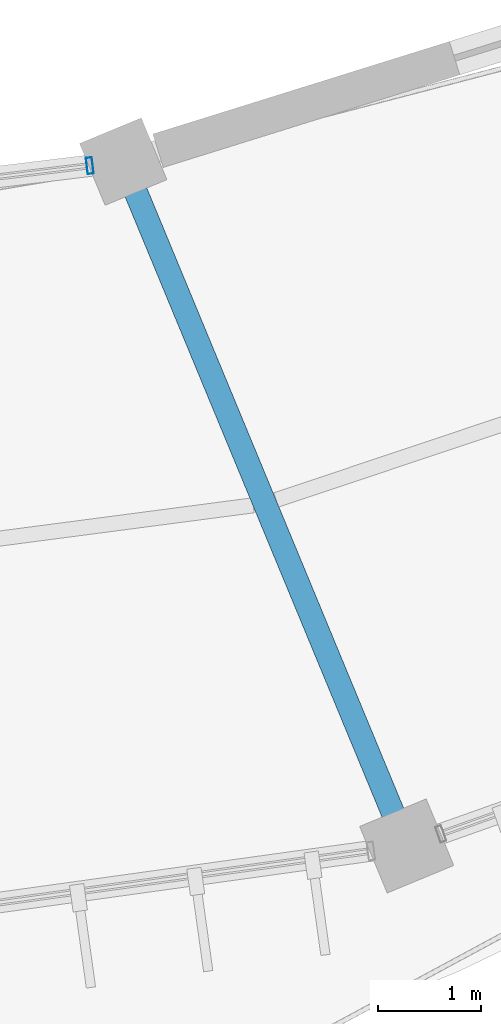
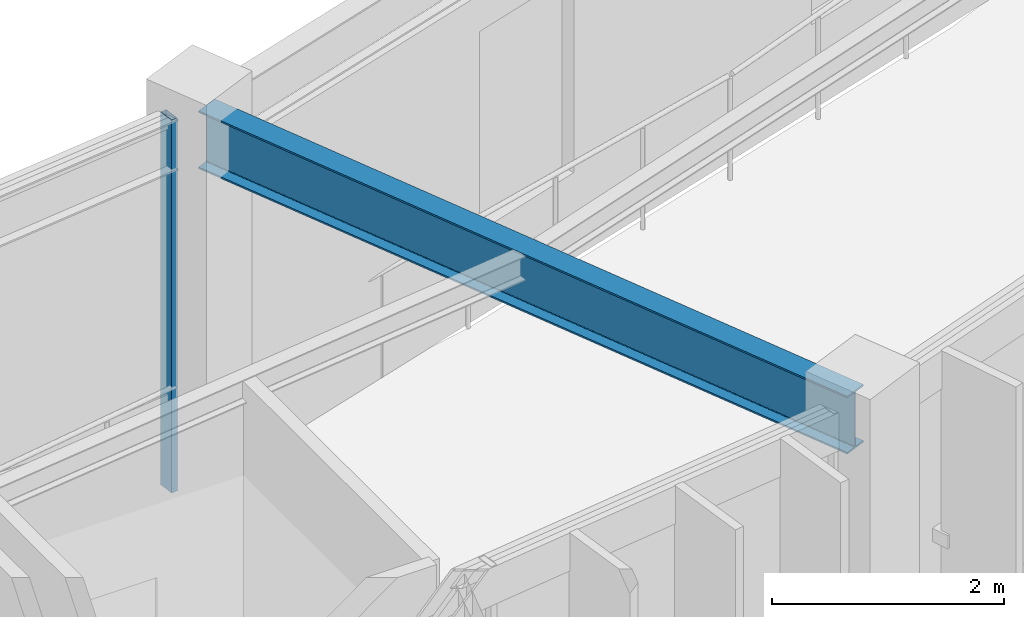
# One storey, part 54 of 138: 1 beam, 1 member, 1 element without a shape of its own.
"""IFC4 building model written with IfcOpenShell, lengths in metres."""

import ifcopenshell
import ifcopenshell.guid

model = None  # the IFC model being written
_history = None  # IfcOwnerHistory: only IFC2X3 demands one
_inside = {}  # id of a spatial element -> (the spatial element, [elements in it])
_under = {}  # id of a project, library or spatial element -> (it, [spatial elements below it])
_declared = {}  # id of a project -> (the project, [libraries it declares])
_typed = {}  # id of a type object -> (the type object, [elements of that type])
_made_of = {}  # id of a material, layer set ... -> (it, [elements and type objects made of it])


def new_model(schema):
    """Start an empty IFC model of exactly this schema.

    Asked for "IFC4X3", IfcOpenShell would pick the latest addendum, in which some entities
    have other attributes; the version numbers below select the first issue.
    IFC2X3 requires an IfcOwnerHistory on every rooted entity: one is made here for all.
    """
    global model, _history
    if schema == "IFC4X3":
        model = ifcopenshell.file(schema_version=(4, 3, 0, 0))
    else:
        model = ifcopenshell.file(schema=schema)
    _inside.clear()
    _under.clear()
    _declared.clear()
    _typed.clear()
    _made_of.clear()
    _history = None
    if model.schema == "IFC2X3":
        org = make("IfcOrganization", Name="unknown")
        user = make(
            "IfcPersonAndOrganization",
            ThePerson=make("IfcPerson", FamilyName="unknown"),
            TheOrganization=org,
        )
        app = make(
            "IfcApplication",
            ApplicationDeveloper=org,
            Version="unknown",
            ApplicationFullName="unknown",
            ApplicationIdentifier="unknown",
        )
        _history = make(
            "IfcOwnerHistory",
            OwningUser=user,
            OwningApplication=app,
            ChangeAction="ADDED",
            CreationDate=0,
        )
    return model


def make(cls, **values):
    """One entity of the class cls with the attributes given. An attribute that is None is left unset."""
    return model.create_entity(
        cls, **{name: value for name, value in values.items() if value is not None}
    )


def rooted(cls, **values):
    """An entity with a GlobalId (a new one), such as an element, a storey or a relation."""
    return make(cls, GlobalId=ifcopenshell.guid.new(), OwnerHistory=_history, **values)


def si_unit(unit_type, name, prefix=None):
    """IfcSIUnit, for example si_unit("LENGTHUNIT", "METRE", prefix="MILLI")."""
    return make("IfcSIUnit", UnitType=unit_type, Prefix=prefix, Name=name)


def assignment(units):
    """IfcUnitAssignment: the units of a project."""
    return None if units is None else make("IfcUnitAssignment", Units=units)


def point(xyz):
    """IfcCartesianPoint."""
    return None if xyz is None else make("IfcCartesianPoint", Coordinates=xyz)


def direction(xyz):
    """IfcDirection."""
    return None if xyz is None else make("IfcDirection", DirectionRatios=xyz)


def frame(location, z_axis=None, x_axis=None):
    """IfcAxis2Placement3D, a coordinate frame: its origin and axes. An axis left out is left unset."""
    return make(
        "IfcAxis2Placement3D",
        Location=point(location),
        Axis=direction(z_axis),
        RefDirection=direction(x_axis),
    )


def frame_2d(location, x_axis=None):
    """IfcAxis2Placement2D, a coordinate frame in the plane: its origin and x axis."""
    return make(
        "IfcAxis2Placement2D", Location=point(location), RefDirection=direction(x_axis)
    )


def origin():
    """The frame at (0, 0, 0) with its axes left unset."""
    return frame((0.0, 0.0, 0.0))


def origin_2d():
    """The frame at (0, 0) in the plane with its x axis left unset."""
    return frame_2d((0.0, 0.0))


def place(relative_to, where):
    """IfcLocalPlacement: puts the frame where relative to a parent placement (None: the world)."""
    return make(
        "IfcLocalPlacement", PlacementRelTo=relative_to, RelativePlacement=where
    )


def context(
    kind, dimensions, precision=None, world=None, true_north=None, identifier=None
):
    """IfcGeometricRepresentationContext, for example the 3D "Model" context."""
    return make(
        "IfcGeometricRepresentationContext",
        ContextIdentifier=identifier,
        ContextType=kind,
        CoordinateSpaceDimension=dimensions,
        Precision=precision,
        WorldCoordinateSystem=world,
        TrueNorth=true_north,
    )


def subcontext(parent, identifier, kind, view, scale=None):
    """IfcGeometricRepresentationSubContext, for example "Body" below "Model"."""
    return make(
        "IfcGeometricRepresentationSubContext",
        ContextIdentifier=identifier,
        ContextType=kind,
        ParentContext=parent,
        TargetScale=scale,
        TargetView=view,
    )


def project(units=None, contexts=None):
    """IfcProject with its units and contexts."""
    return rooted(
        "IfcProject",
        Name="project",
        RepresentationContexts=contexts,
        UnitsInContext=assignment(units),
    )


def spatial(cls, under=None, at=None, **own):
    """A site, building, storey or space (cls), placed at a placement, below another one or the project."""
    s = rooted(cls, ObjectPlacement=at, **own)
    if under is not None:
        _under.setdefault(under.id(), (under, []))[1].append(s)
    return s


def profile(cls, at=None, kind="AREA", **sizes):
    """A parametric profile (cls). Its sizes go by their IFC names, for example OverallWidth=200.0."""
    return make(cls, ProfileType=kind, Position=at, **sizes)


def hollow_rectangle(**sizes):
    """IfcRectangleHollowProfileDef."""
    return profile("IfcRectangleHollowProfileDef", **sizes)


def i_section(**sizes):
    """IfcIShapeProfileDef."""
    return profile("IfcIShapeProfileDef", **sizes)


def extrude(swept, where, along, depth):
    """IfcExtrudedAreaSolid: the profile swept, set in the frame where, extruded along a direction by depth."""
    return make(
        "IfcExtrudedAreaSolid",
        SweptArea=swept,
        Position=where,
        ExtrudedDirection=direction(along),
        Depth=depth,
    )


def shape(context_of_items, identifier, shape_type, items):
    """IfcShapeRepresentation: the items that make up one representation, for example the "Body"."""
    return make(
        "IfcShapeRepresentation",
        ContextOfItems=context_of_items,
        RepresentationIdentifier=identifier,
        RepresentationType=shape_type,
        Items=items,
    )


def material(Name=None, Category=None):
    """IfcMaterial."""
    return make("IfcMaterial", Name=Name, Category=Category)


def material_profile(
    of_material, cross_section, Name=None, Category=None, Priority=None
):
    """IfcMaterialProfile: a cross section and its material."""
    return make(
        "IfcMaterialProfile",
        Name=Name,
        Material=of_material,
        Profile=cross_section,
        Priority=Priority,
        Category=Category,
    )


def profile_set(profiles, Name=None, composite=None):
    """IfcMaterialProfileSet."""
    return make(
        "IfcMaterialProfileSet",
        Name=Name,
        MaterialProfiles=profiles,
        CompositeProfile=composite,
    )


def made_of(thing, what):
    """Note that an element or type object is made of a material, layer set ...; save() writes the relation."""
    if what is not None:
        _made_of.setdefault(what.id(), (what, []))[1].append(thing)
    return thing


def type_object(cls, material=None, **own):
    """A type object (cls), such as IfcWallType, which elements share."""
    return made_of(rooted(cls, **own), material)


def element(
    cls,
    number,
    at=None,
    inside=None,
    cuts=None,
    type_object=None,
    material=None,
    context=None,
    identifier="Body",
    shape_type=None,
    held_by="IfcProductDefinitionShape",
    body=None,
    shapes=None,
    **own,
):
    """One element of the class cls, such as IfcWall. Its Tag is "e" and its number.

    at: its placement. inside: the storey or other place that contains it. cuts: it is an
    opening in that element (IfcRelVoidsElement). A single representation is given by context,
    identifier, shape_type and body (its items); several are given by shapes. held_by: the class
    of the entity that holds the representations. save() writes the other relations.
    """
    e = rooted(cls, Tag="e%d" % number, ObjectPlacement=at, **own)
    if body is not None:
        shapes = [shape(context, identifier, shape_type, body)]
    if shapes is not None:
        e.Representation = make(held_by, Representations=shapes)
    if inside is not None:
        _inside.setdefault(inside.id(), (inside, []))[1].append(e)
    if cuts is not None:
        rooted(
            "IfcRelVoidsElement", RelatingBuildingElement=cuts, RelatedOpeningElement=e
        )
    if type_object is not None:
        _typed.setdefault(type_object.id(), (type_object, []))[1].append(e)
    return made_of(e, material)


def aggregate(whole, parts):
    """IfcRelAggregates: a whole, such as a stair, and the parts it consists of."""
    return rooted("IfcRelAggregates", RelatingObject=whole, RelatedObjects=parts)


def save(model, path):
    """Write the relations noted so far, then the file.

    IfcRelAggregates (storeys below a building ...), IfcRelContainedInSpatialStructure (elements
    in a storey), IfcRelDefinesByType, IfcRelAssociatesMaterial and IfcRelDeclares: one each for
    every whole, place, type object, material and project.
    """
    for whole, parts in _under.values():
        aggregate(whole, parts)
    for where, things in _inside.values():
        rooted(
            "IfcRelContainedInSpatialStructure",
            RelatedElements=things,
            RelatingStructure=where,
        )
    for kind, things in _typed.values():
        rooted("IfcRelDefinesByType", RelatedObjects=things, RelatingType=kind)
    for what, things in _made_of.values():
        rooted("IfcRelAssociatesMaterial", RelatedObjects=things, RelatingMaterial=what)
    for by, libraries in _declared.values():
        rooted("IfcRelDeclares", RelatingContext=by, RelatedDefinitions=libraries)
    model.write(path)


model = new_model("IFC4")

# Units and contexts
model_context = context("Model", 3, precision=1e-05, world=origin(), true_north=direction((0.0, 1.0)))
body_context = subcontext(model_context, "Body", "Model", "MODEL_VIEW")
ifc_project = project(units=[si_unit("LENGTHUNIT", "METRE"), si_unit("AREAUNIT", "SQUARE_METRE"), si_unit("VOLUMEUNIT", "CUBIC_METRE"), si_unit("PLANEANGLEUNIT", "RADIAN"), si_unit("MASSUNIT", "GRAM", prefix="KILO"), si_unit("THERMODYNAMICTEMPERATUREUNIT", "KELVIN"), si_unit("POWERUNIT", "WATT")], contexts=[model_context])

# Site, building, storey
site_placement = place(None, origin())
site = spatial("IfcSite", under=ifc_project, at=site_placement, CompositionType="ELEMENT")
building_placement = place(site_placement, origin())
building = spatial("IfcBuilding", under=site, at=building_placement, Name="Darbajah Civic Hall", CompositionType="ELEMENT")
storey_placement = place(building_placement, frame((0.0, 0.0, 9.60009765625)))
storey = spatial("IfcBuildingStorey", under=building, at=storey_placement, Name="L02", CompositionType="ELEMENT", Elevation=9.60009765625)

# Curtain wall, member
ifc_material_1 = material(Name="Anodised Bronze Aluminium and Low-E Glazing", Category="aluminium")
curtain_wall_type = type_object("IfcCurtainWallType", Name="Unitised Curtain Wall CW-50 12800x3900", PredefinedType="USERDEFINED", material=ifc_material_1)
curtain_wall_placement = place(storey_placement, origin())
curtain_wall = element("IfcCurtainWall", 1, at=curtain_wall_placement, inside=storey, type_object=curtain_wall_type, Name="L02 unitised curtain wall CW-V1I-L02-15", ObjectType="UNITISED CURTAIN WALL", PredefinedType="USERDEFINED")
ifc_material_2 = material(Name="Anodised Bronze Aluminium", Category="aluminium")
ifc_material_profile_1 = material_profile(ifc_material_2, hollow_rectangle(XDim=0.06005859375, YDim=0.159912109375, WallThickness=0.00341796875, at=origin_2d()), Name="ALU MULLION 60x160")
ifc_profile_set_1 = profile_set([ifc_material_profile_1], Name="Anodised Bronze Aluminium")
member_type = type_object("IfcMemberType", Name="ALU MULLION 60x160", PredefinedType="MULLION", material=ifc_profile_set_1)
member_placement = place(storey_placement, frame((105.536865234375, 69.15771484375, 0.0), z_axis=(0.0, 0.0, 1.0), x_axis=(0.992609826221, 0.121349630774, 0.0)))
member = element("IfcMember", 2, at=member_placement, type_object=member_type, Name="CW-V1I-L02-15 mullion 4", PredefinedType="MULLION", context=body_context, shape_type="SweptSolid", body=[
    extrude(hollow_rectangle(XDim=0.06005859375, YDim=0.159912109375, WallThickness=0.00341796875, at=origin_2d()), origin(), (0.0, 0.0, 1.0), 3.919921875),
])
aggregate(curtain_wall, [member])

# Beam
ifc_material_3 = material(Name="Steel S355JR", Category="steel")
ifc_material_profile_2 = material_profile(ifc_material_3, i_section(OverallWidth=0.228271484375, OverallDepth=0.607666015625, WebThickness=0.010986328125, FlangeThickness=0.017333984375, FilletRadius=0.0126953125, at=origin_2d()), Name="UB 610x229x113")
ifc_profile_set_2 = profile_set([ifc_material_profile_2], Name="Steel S355JR")
beam_type = type_object("IfcBeamType", Name="UB 610x229x113", PredefinedType="BEAM", material=ifc_profile_set_2)
beam_placement = place(storey_placement, frame((105.89208984375, 69.12353515625, 3.6162109375), z_axis=(0.382681552297, -0.923880311259, 0.0), x_axis=(0.923880311259, 0.382681552297, 0.0)))
element("IfcBeam", 3, at=beam_placement, inside=storey, type_object=beam_type, Name="L02 beam SB-610", PredefinedType="BEAM", context=body_context, shape_type="SweptSolid", body=[
    extrude(i_section(OverallWidth=0.228271484375, OverallDepth=0.607666015625, WebThickness=0.010986328125, FlangeThickness=0.017333984375, FilletRadius=0.0126953125, at=origin_2d()), origin(), (0.0, 0.0, 1.0), 7.0400390625),
])

save(model, "model.ifc")
